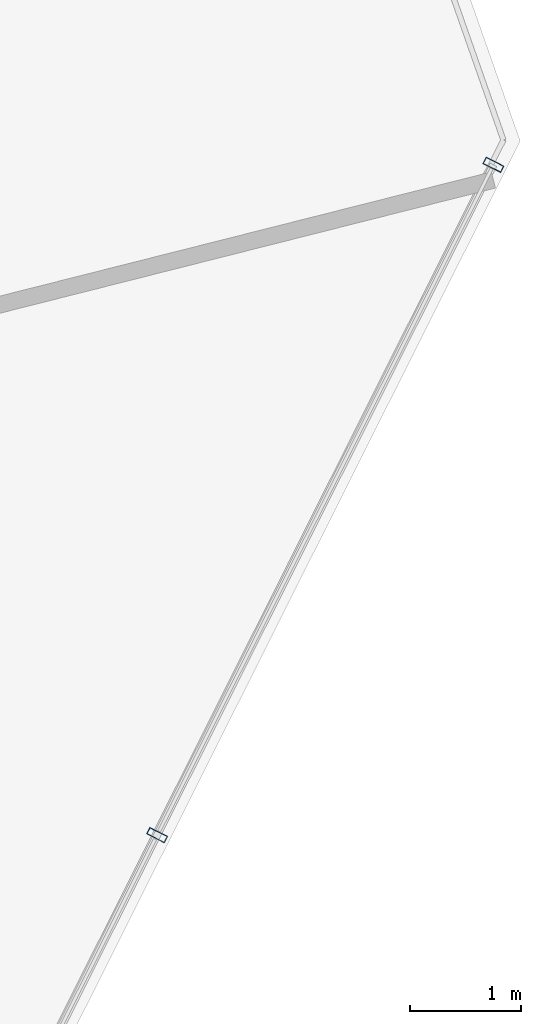
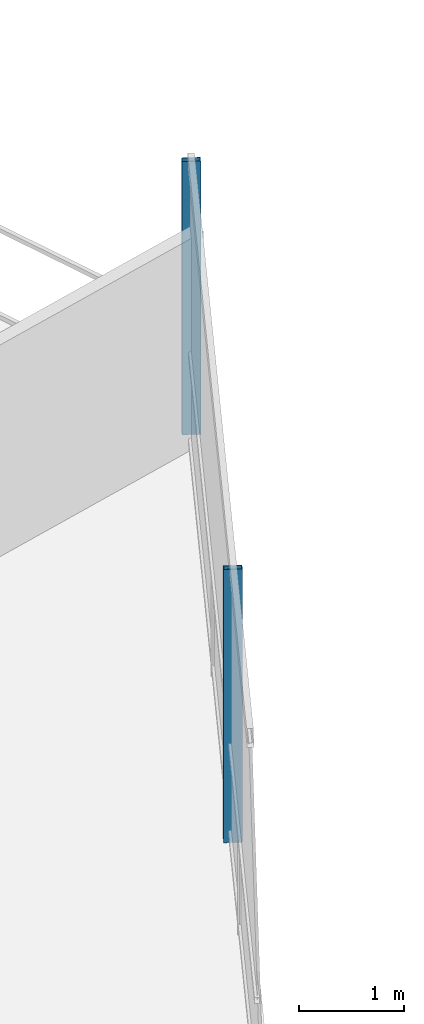
# One storey, part 15 of 30: 2 members, 1 element without a shape of its own.
"""IFC4 building model written with IfcOpenShell, lengths in metres."""

from ifc_helpers import new_model, si_unit, direction, frame, origin, origin_2d, place, context, subcontext, project, spatial, hollow_rectangle, extrude, material, layer, layer_set, material_profile, profile_set, type_object, element, aggregate, save


model = new_model("IFC4")

# Units and contexts
model_context = context("Model", 3, precision=1e-05, world=origin(), true_north=direction((0.0, 1.0)))
body_context = subcontext(model_context, "Body", "Model", "MODEL_VIEW")
ifc_project = project(units=[si_unit("LENGTHUNIT", "METRE"), si_unit("AREAUNIT", "SQUARE_METRE"), si_unit("VOLUMEUNIT", "CUBIC_METRE"), si_unit("PLANEANGLEUNIT", "RADIAN"), si_unit("MASSUNIT", "GRAM", prefix="KILO")], contexts=[model_context])

# Site, building, storey
site_placement = place(None, origin())
site = spatial("IfcSite", under=ifc_project, at=site_placement, CompositionType="ELEMENT")
building_placement = place(site_placement, origin())
building = spatial("IfcBuilding", under=site, at=building_placement, Name="Qarnah Convention Tower", CompositionType="ELEMENT")
storey_placement = place(building_placement, frame((0.0, 0.0, 79.800048828125)))
storey = spatial("IfcBuildingStorey", under=building, at=storey_placement, Name="L20", CompositionType="ELEMENT", Elevation=79.800048828125)

# Curtain wall, members
ifc_material_1 = material(Name="Tempered Low-E dark glass", Category="glass")
ifc_layer = layer(ifc_material_1, 0.169921875)
ifc_layer_set = layer_set([ifc_layer], Name="Tempered Low-E dark glass")
curtain_wall_type = type_object("IfcCurtainWallType", Name="CWS-02", PredefinedType="NOTDEFINED", material=ifc_layer_set)
curtain_wall_placement = place(storey_placement, origin())
curtain_wall = element("IfcCurtainWall", 1, at=curtain_wall_placement, inside=storey, type_object=curtain_wall_type, Name="L20 unitised curtain wall CW-L20-F2", PredefinedType="NOTDEFINED")
ifc_material_2 = material(Name="Black anodised aluminium", Category="aluminium")
ifc_material_profile = material_profile(ifc_material_2, hollow_rectangle(XDim=0.06494140625, YDim=0.179931640625, WallThickness=0.00390625, at=origin_2d()), Name="MUL-65X180")
ifc_profile_set = profile_set([ifc_material_profile], Name="Black anodised aluminium")
member_type = type_object("IfcMemberType", Name="MUL-T2", PredefinedType="MULLION", material=ifc_profile_set)
member_1_placement = place(storey_placement, frame((62.01806640625, 32.993896484375, 0.0), z_axis=(0.0, 0.0, 1.0), x_axis=(-0.44839497881, -0.893835523448, 0.0)))
member_1 = element("IfcMember", 2, at=member_1_placement, type_object=member_type, Name="CW-L20-F2 mullion 1", PredefinedType="MULLION", context=body_context, shape_type="SweptSolid", body=[
    extrude(hollow_rectangle(XDim=0.06494140625, YDim=0.179931640625, WallThickness=0.00390625, at=origin_2d()), origin(), (0.0, 0.0, 1.0), 3.169921875),
])
member_2_placement = place(storey_placement, frame((58.982666015625, 26.943115234375, 0.0), z_axis=(0.0, 0.0, 1.0), x_axis=(-0.44839497881, -0.893835523448, 0.0)))
member_2 = element("IfcMember", 3, at=member_2_placement, type_object=member_type, Name="CW-L20-F2 mullion 2", PredefinedType="MULLION", context=body_context, shape_type="SweptSolid", body=[
    extrude(hollow_rectangle(XDim=0.06494140625, YDim=0.179931640625, WallThickness=0.00390625, at=origin_2d()), origin(), (0.0, 0.0, 1.0), 3.169921875),
])
aggregate(curtain_wall, [member_1, member_2])

save(model, "model.ifc")
